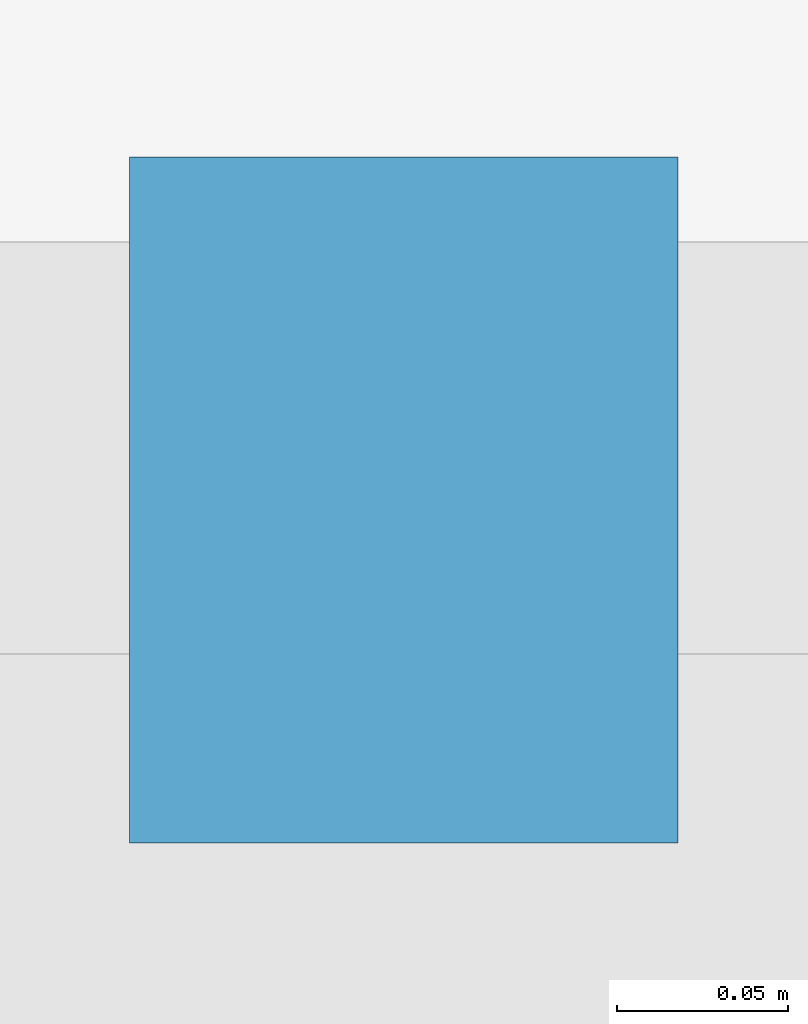
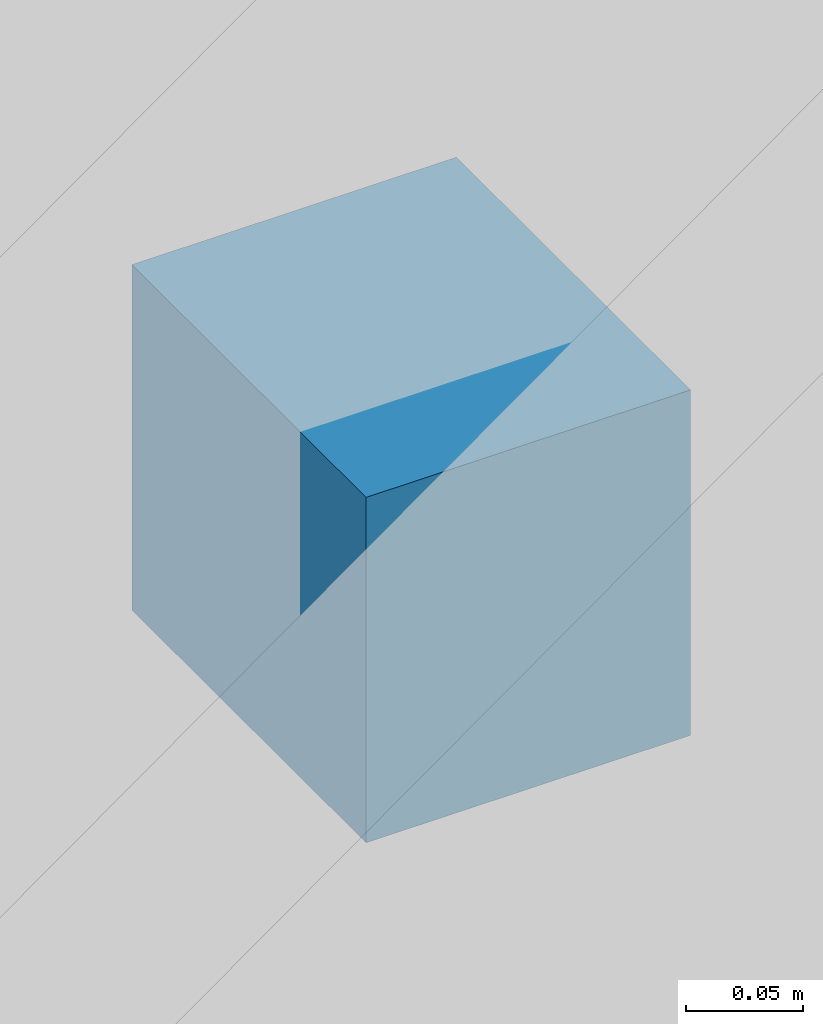
# One storey, part 16 of 20: 1 discrete accessory.
"""IFC4 building model written with IfcOpenShell, lengths in metres."""

from ifc_helpers import new_model, si_unit, direction, frame, origin, origin_2d, place, context, subcontext, project, spatial, rectangle, extrude, material, type_object, element, save


model = new_model("IFC4")

# Units and contexts
model_context = context("Model", 3, precision=1e-05, world=origin(), true_north=direction((0.0, 1.0)))
body_context = subcontext(model_context, "Body", "Model", "MODEL_VIEW")
ifc_project = project(units=[si_unit("LENGTHUNIT", "METRE"), si_unit("AREAUNIT", "SQUARE_METRE"), si_unit("VOLUMEUNIT", "CUBIC_METRE"), si_unit("PLANEANGLEUNIT", "RADIAN"), si_unit("MASSUNIT", "GRAM", prefix="KILO")], contexts=[model_context])

# Site, building, storey
site_placement = place(None, origin())
site = spatial("IfcSite", under=ifc_project, at=site_placement, CompositionType="ELEMENT")
building_placement = place(site_placement, origin())
building = spatial("IfcBuilding", under=site, at=building_placement, Name="Koriwani Terraces Tower", CompositionType="ELEMENT")
storey_placement = place(building_placement, frame((0.0, 0.0, 35.800048828125)))
storey = spatial("IfcBuildingStorey", under=building, at=storey_placement, Name="L07", CompositionType="ELEMENT", Elevation=35.800048828125)

# Discrete accessory
ifc_material = material(Name="Steel ASTM A572 Grade 50", Category="steel")
discrete_accessory_type = type_object("IfcDiscreteAccessoryType", Name="BAGUETTE_STANDOFF_BRACKET", PredefinedType="BRACKET", material=ifc_material)
discrete_accessory_placement = place(storey_placement, frame((71.39990234375, 0.389892578125, 1.68505859375), z_axis=(0.0, 0.0, 1.0), x_axis=(-1.0, 0.0, 0.0)))
element("IfcDiscreteAccessory", 1, at=discrete_accessory_placement, inside=storey, type_object=discrete_accessory_type, Name="L07 Terracotta Baguette Bracket (S-24)", PredefinedType="BRACKET", context=body_context, shape_type="SweptSolid", body=[
    extrude(rectangle(XDim=0.159912109375, YDim=0.199951171875, at=origin_2d()), origin(), (0.0, 0.0, 1.0), 0.179931640625),
])

save(model, "model.ifc")
